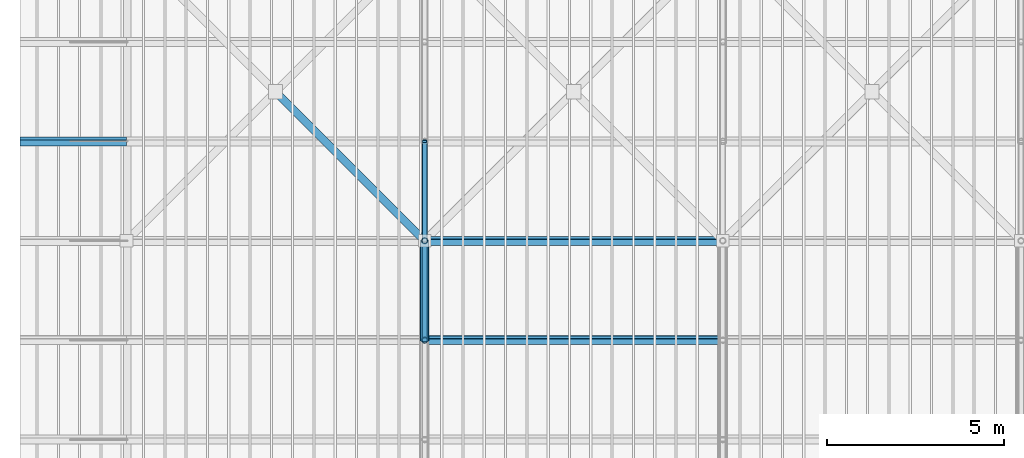
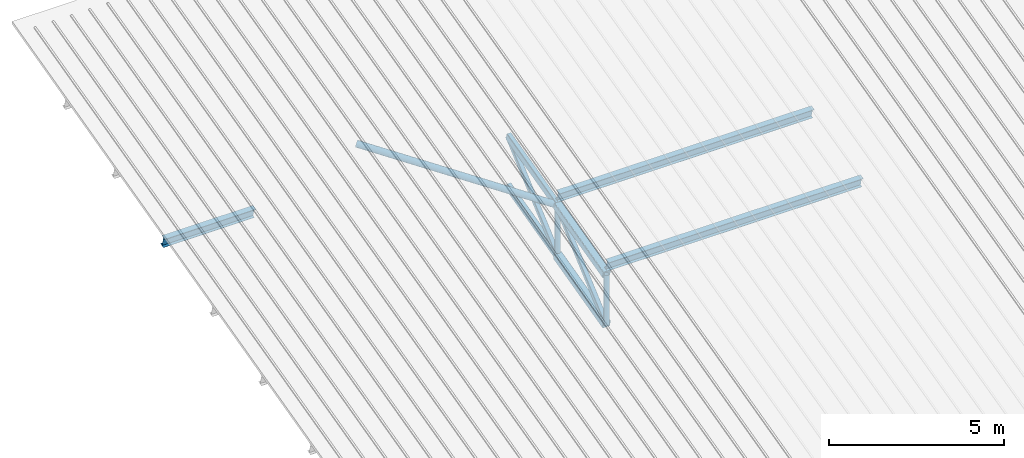
# One storey, part 10 of 114: 12 members.
"""IFC4 building model written with IfcOpenShell, lengths in metres."""

from ifc_helpers import new_model, si_unit, direction, frame, origin, origin_2d, place, context, subcontext, project, spatial, hollow_rectangle, hollow_circle, i_section, extrude, material, material_profile, profile_set, type_object, element, save


model = new_model("IFC4")

# Units and contexts
model_context = context("Model", 3, precision=1e-05, world=origin(), true_north=direction((0.0, 1.0)))
body_context = subcontext(model_context, "Body", "Model", "MODEL_VIEW")
ifc_project = project(units=[si_unit("LENGTHUNIT", "METRE"), si_unit("AREAUNIT", "SQUARE_METRE"), si_unit("VOLUMEUNIT", "CUBIC_METRE"), si_unit("PLANEANGLEUNIT", "RADIAN"), si_unit("MASSUNIT", "GRAM", prefix="KILO")], contexts=[model_context])

# Site, building, storey
site_placement = place(None, origin())
site = spatial("IfcSite", under=ifc_project, at=site_placement, CompositionType="ELEMENT")
building_placement = place(site_placement, origin())
building = spatial("IfcBuilding", under=site, at=building_placement, Name="Almond Square Museum", CompositionType="ELEMENT")
storey_placement = place(building_placement, frame((0.0, 0.0, 10.5)))
storey = spatial("IfcBuildingStorey", under=building, at=storey_placement, Name="L02", CompositionType="ELEMENT", Elevation=10.5)

# Members
ifc_material_1 = material(Name="Structural steel S355", Category="steel")
ifc_material_profile_1 = material_profile(ifc_material_1, hollow_circle(Radius=0.109619140625, WallThickness=0.010009765625, at=origin_2d()))
ifc_profile_set_1 = profile_set([ifc_material_profile_1], Name="Structural steel S355")
member_type_1 = type_object("IfcMemberType", Name="Roof brace CHS 219.1x10", PredefinedType="BRACE", material=ifc_profile_set_1)
member_1_placement = place(storey_placement, frame((14.39990234375, 100.800048828125, 6.9794921875), z_axis=(-0.696057820864, 0.696057820864, 0.176088103029), x_axis=(-0.707106781187, -0.707106781187, 0.0)))
element("IfcMember", 1, at=member_1_placement, inside=storey, type_object=member_type_1, Name="Auditorium roof plan brace", PredefinedType="BRACE", context=body_context, shape_type="SweptSolid", body=[
    extrude(hollow_circle(Radius=0.109619140625, WallThickness=0.010009765625, at=origin_2d()), origin(), (0.0, 0.0, 1.0), 6.033935546875),
])
ifc_material_2 = material(Name="Structural steel S355", Category="steel")
ifc_material_profile_2 = material_profile(ifc_material_2, i_section(OverallWidth=0.1708984375, OverallDepth=0.35595703125, WebThickness=0.00732421875, FlangeThickness=0.01171875, at=origin_2d()))
ifc_profile_set_2 = profile_set([ifc_material_profile_2], Name="Structural steel S355")
member_type_2 = type_object("IfcMemberType", Name="Steel purlin W360x51", PredefinedType="PURLIN", material=ifc_profile_set_2)
for number, where, z_axis, x_axis, name in (
    (2, (14.39990234375, 98.0, 6.579833984375), (1.0, 0.0, 0.0), (0.0, 0.969459905022, 0.245249857402), "Auditorium purlin 10.2"),
    (3, (14.39990234375, 100.800048828125, 7.2880859375), (1.0, 0.0, 0.0), (0.0, 0.969459905022, 0.245249857402), "Auditorium purlin 11.2"),
):
    element("IfcMember", number, at=place(storey_placement, frame(where, z_axis=z_axis, x_axis=x_axis)), inside=storey, type_object=member_type_2, Name=name, PredefinedType="PURLIN", context=body_context, shape_type="SweptSolid", body=[
        extrude(i_section(OverallWidth=0.1708984375, OverallDepth=0.35595703125, WebThickness=0.00732421875, FlangeThickness=0.01171875, at=origin_2d()), origin(), (0.0, 0.0, 1.0), 8.400146484375),
    ])
member_2_placement = place(storey_placement, frame((3.0, 103.60009765625, 7.99658203125), z_axis=(1.0, 0.0, 0.0), x_axis=(0.0, 0.969459905022, 0.245249857402)))
element("IfcMember", 4, at=member_2_placement, inside=storey, type_object=member_type_2, Name="Auditorium west eave purlin 12", PredefinedType="PURLIN", context=body_context, shape_type="SweptSolid", body=[
    extrude(i_section(OverallWidth=0.1708984375, OverallDepth=0.35595703125, WebThickness=0.00732421875, FlangeThickness=0.01171875, at=origin_2d()), origin(), (0.0, 0.0, 1.0), 3.0),
])
ifc_material_3 = material(Name="Structural steel S355", Category="steel")
ifc_material_profile_3 = material_profile(ifc_material_3, hollow_rectangle(XDim=0.14990234375, YDim=0.25, WallThickness=0.010009765625, InnerFilletRadius=0.014892578125, OuterFilletRadius=0.02490234375, at=origin_2d()))
ifc_profile_set_3 = profile_set([ifc_material_profile_3], Name="Structural steel S355")
member_type_3 = type_object("IfcMemberType", Name="Truss chord RHS 250x150x10", PredefinedType="CHORD", material=ifc_profile_set_3)
for number, where, z_axis, x_axis, name in (
    (5, (14.39990234375, 100.800048828125, 6.9794921875), (0.0, 0.969447423453, 0.245299191112), (-1.0, 0.0, 0.0), "TR-13 top chord 10"),
    (6, (14.39990234375, 100.800048828125, 5.2294921875), (0.0, 0.969447423453, 0.245299191112), (-1.0, 0.0, 0.0), "TR-13 bottom chord 10"),
):
    element("IfcMember", number, at=place(storey_placement, frame(where, z_axis=z_axis, x_axis=x_axis)), inside=storey, type_object=member_type_3, Name=name, PredefinedType="CHORD", context=body_context, shape_type="SweptSolid", body=[
        extrude(hollow_rectangle(XDim=0.14990234375, YDim=0.25, WallThickness=0.010009765625, InnerFilletRadius=0.014892578125, OuterFilletRadius=0.02490234375, at=origin_2d()), origin(), (0.0, 0.0, 1.0), 2.88818359375),
    ])
ifc_material_4 = material(Name="Structural steel S355", Category="steel")
ifc_material_profile_4 = material_profile(ifc_material_4, hollow_rectangle(XDim=0.25, YDim=0.25, WallThickness=0.012451171875, InnerFilletRadius=0.02490234375, OuterFilletRadius=0.03759765625, at=origin_2d()))
ifc_profile_set_4 = profile_set([ifc_material_profile_4], Name="Structural steel S355")
member_type_4 = type_object("IfcMemberType", Name="Truss chord SHS 250x250x12.5", PredefinedType="CHORD", material=ifc_profile_set_4)
for number, where, z_axis, x_axis, name in (
    (7, (14.39990234375, 98.0, 6.271240234375), (0.0, 0.969467521681, 0.245219747179), (-1.0, 0.0, 0.0), "TR-13 top chord 9"),
    (8, (14.39990234375, 98.0, 4.521240234375), (0.0, 0.969467521681, 0.245219747179), (-1.0, 0.0, 0.0), "TR-13 bottom chord 9"),
):
    element("IfcMember", number, at=place(storey_placement, frame(where, z_axis=z_axis, x_axis=x_axis)), inside=storey, type_object=member_type_4, Name=name, PredefinedType="CHORD", context=body_context, shape_type="SweptSolid", body=[
        extrude(hollow_rectangle(XDim=0.25, YDim=0.25, WallThickness=0.012451171875, InnerFilletRadius=0.02490234375, OuterFilletRadius=0.03759765625, at=origin_2d()), origin(), (0.0, 0.0, 1.0), 2.88818359375),
    ])
ifc_material_5 = material(Name="Structural steel S355", Category="steel")
ifc_material_profile_5 = material_profile(ifc_material_5, hollow_rectangle(XDim=0.14990234375, YDim=0.14990234375, WallThickness=0.008056640625, InnerFilletRadius=0.011962890625, OuterFilletRadius=0.02001953125, at=origin_2d()))
ifc_profile_set_5 = profile_set([ifc_material_profile_5], Name="Structural steel S355")
member_type_5 = type_object("IfcMemberType", Name="Truss diagonal SHS 150x150x8", PredefinedType="BRACE", material=ifc_profile_set_5)
for number, where, z_axis, x_axis, name in (
    (9, (14.39990234375, 98.0, 4.521240234375), (0.0, 0.751483802729, 0.659751539775), (-1.0, 0.0, 0.0), "TR-13 diagonal 9"),
    (10, (14.39990234375, 100.800048828125, 5.2294921875), (0.0, 0.751451317382, 0.659788540068), (-1.0, 0.0, 0.0), "TR-13 diagonal 10"),
):
    element("IfcMember", number, at=place(storey_placement, frame(where, z_axis=z_axis, x_axis=x_axis)), inside=storey, type_object=member_type_5, Name=name, PredefinedType="BRACE", context=body_context, shape_type="SweptSolid", body=[
        extrude(hollow_rectangle(XDim=0.14990234375, YDim=0.14990234375, WallThickness=0.008056640625, InnerFilletRadius=0.011962890625, OuterFilletRadius=0.02001953125, at=origin_2d()), origin(), (0.0, 0.0, 1.0), 3.72607421875),
    ])
ifc_material_6 = material(Name="Structural steel S355", Category="steel")
ifc_material_profile_6 = material_profile(ifc_material_6, hollow_circle(Radius=0.084228515625, WallThickness=0.008056640625, at=origin_2d()))
ifc_profile_set_6 = profile_set([ifc_material_profile_6], Name="Structural steel S355")
member_type_6 = type_object("IfcMemberType", Name="Truss post CHS 168.3x8", PredefinedType="POST", material=ifc_profile_set_6)
for number, where, z_axis, x_axis, name in (
    (11, (14.39990234375, 98.0, 4.521240234375), (0.0, 0.0, 1.0), (1.0, 0.0, 0.0), "TR-13 post 9"),
    (12, (14.39990234375, 100.800048828125, 5.2294921875), (0.0, 0.0, 1.0), (1.0, 0.0, 0.0), "TR-13 post 10"),
):
    element("IfcMember", number, at=place(storey_placement, frame(where, z_axis=z_axis, x_axis=x_axis)), inside=storey, type_object=member_type_6, Name=name, PredefinedType="POST", context=body_context, shape_type="SweptSolid", body=[
        extrude(hollow_circle(Radius=0.084228515625, WallThickness=0.008056640625, at=origin_2d()), origin(), (0.0, 0.0, 1.0), 1.75),
    ])

save(model, "model.ifc")
